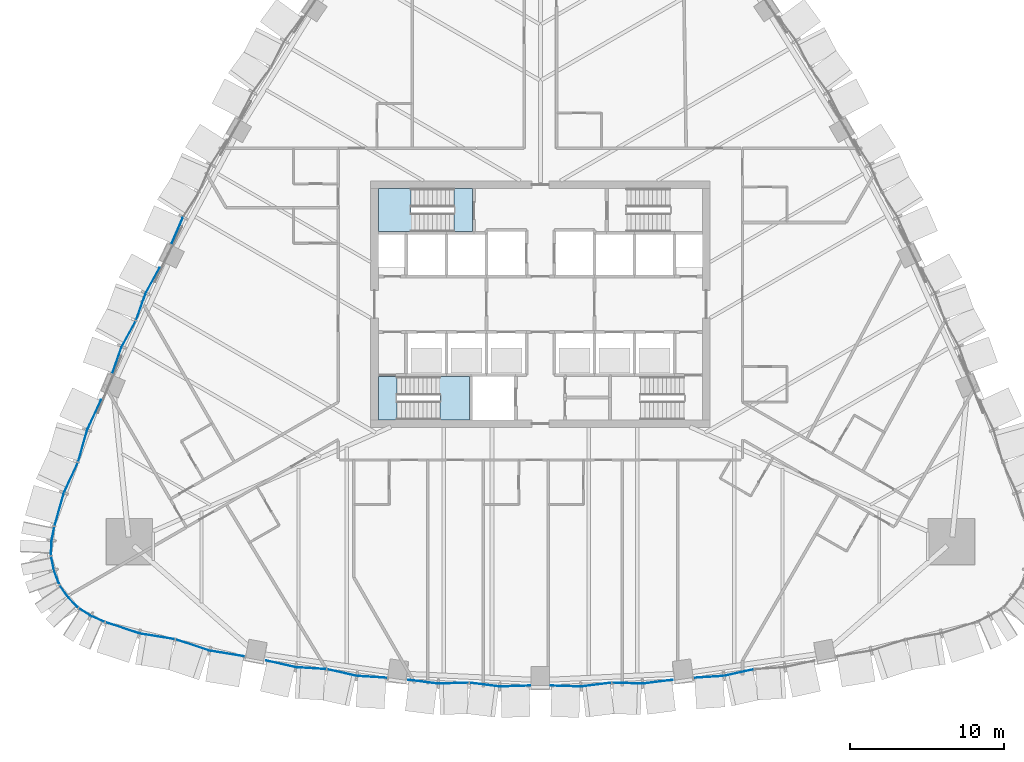
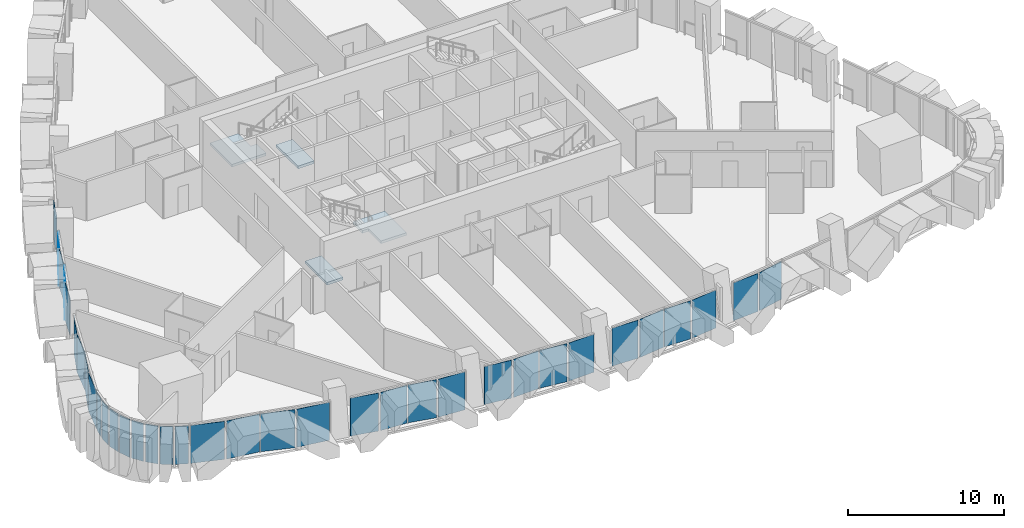
# One storey, part 9 of 22: 35 plates, 4 slabs, 14 elements without a shape of their own.
"""IFC4 building model written with IfcOpenShell, lengths in metres."""

from ifc_helpers import new_model, si_unit, direction, frame, origin, place, context, subcontext, project, spatial, polyline, outline, extrude, material, layer, layer_set, type_object, element, aggregate, save


model = new_model("IFC4")

# Units and contexts
model_context = context("Model", 3, precision=1e-05, world=origin(), true_north=direction((0.0, 1.0)))
body_context = subcontext(model_context, "Body", "Model", "MODEL_VIEW")
ifc_project = project(units=[si_unit("LENGTHUNIT", "METRE"), si_unit("AREAUNIT", "SQUARE_METRE"), si_unit("VOLUMEUNIT", "CUBIC_METRE"), si_unit("PLANEANGLEUNIT", "RADIAN"), si_unit("MASSUNIT", "GRAM", prefix="KILO")], contexts=[model_context])

# Site, building, storey
site_placement = place(None, origin())
site = spatial("IfcSite", under=ifc_project, at=site_placement, CompositionType="ELEMENT")
building_placement = place(site_placement, origin())
building = spatial("IfcBuilding", under=site, at=building_placement, Name="Sierra Prisma Convention Tower", CompositionType="ELEMENT")
storey_placement = place(building_placement, frame((0.0, 0.0, 66.5)))
storey = spatial("IfcBuildingStorey", under=building, at=storey_placement, Name="L12", CompositionType="ELEMENT", Elevation=66.5)

# Curtain wall, plates
ifc_material_1 = material(Name="Aluminium and glass curtain wall", Category="aluminium")
ifc_layer_1 = layer(ifc_material_1, 0.179931640625)
ifc_layer_set_1 = layer_set([ifc_layer_1], Name="CW-2 Faceted crystal curtain wall")
curtain_wall_type = type_object("IfcCurtainWallType", Name="CW-2 Faceted crystal curtain wall", PredefinedType="NOTDEFINED", material=ifc_layer_set_1)
curtain_wall_1_placement = place(storey_placement, origin())
curtain_wall_1 = element("IfcCurtainWall", 1, at=curtain_wall_1_placement, inside=storey, type_object=curtain_wall_type, Name="CW-2 S1 L12", PredefinedType="NOTDEFINED")
ifc_material_2 = material(Name="Tinted glass bronze-grey IGU", Category="glass")
ifc_layer_2 = layer(ifc_material_2, 0.028076171875)
ifc_layer_set_2 = layer_set([ifc_layer_2], Name="CW-2 crystal pane")
plate_type = type_object("IfcPlateType", Name="CW-2 crystal pane", PredefinedType="CURTAIN_PANEL", material=ifc_layer_set_2)
plate_1_placement = place(storey_placement, frame((-28.194091796875, -20.6396484375, 0.0), z_axis=(-0.313522391506, -0.949580807527, 0.0), x_axis=(0.949580807527, -0.313522391506, 0.0)))
plate_1 = element("IfcPlate", 2, at=plate_1_placement, type_object=plate_type, Name="CW-2 pane S1.1.1", PredefinedType="CURTAIN_PANEL", context=body_context, shape_type="SweptSolid", body=[
    extrude(outline(polyline([(0.0, 0.0), (2.2481137024651527, 0.0), (2.2481137024651527, 2.97998046875), (0.0, 2.97998046875), (0.0, 0.0)])), origin(), (0.0, 0.0, -1.0), 0.028076171875),
])
plate_2_placement = place(storey_placement, frame((-23.71484375, -21.737548828125, 0.0), z_axis=(-0.161175077804, -0.986925830189, 0.0), x_axis=(-0.986925830189, 0.161175077804, 0.0)))
plate_2 = element("IfcPlate", 3, at=plate_2_placement, type_object=plate_type, Name="CW-2 pane S1.1.2", PredefinedType="CURTAIN_PANEL", context=body_context, shape_type="SweptSolid", body=[
    extrude(outline(polyline([(0.0, 0.0), (2.247895223240105, 0.0), (2.247895223240105, -2.97998046875), (0.0, -2.97998046875), (0.0, 0.0)])), origin(), (0.0, 0.0, -1.0), 0.028076171875),
])
plate_3_placement = place(storey_placement, frame((-23.646728515625, -21.754150390625, 0.0), z_axis=(-0.313522391506, -0.949580807527, 0.0), x_axis=(0.949580807527, -0.313522391506, 0.0)))
plate_3 = element("IfcPlate", 4, at=plate_3_placement, type_object=plate_type, Name="CW-2 pane S1.2.1", PredefinedType="CURTAIN_PANEL", context=body_context, shape_type="SweptSolid", body=[
    extrude(outline(polyline([(0.0, 0.0), (2.2481137024651527, 0.0), (2.2481137024651527, 2.97998046875), (0.0, 2.97998046875), (0.0, 0.0)])), origin(), (0.0, 0.0, -1.0), 0.028076171875),
])
plate_4_placement = place(storey_placement, frame((-19.16748046875, -22.851806640625, 0.0), z_axis=(-0.161052024286, -0.986945918211, 0.0), x_axis=(-0.986945918211, 0.161052024286, 0.0)))
plate_4 = element("IfcPlate", 5, at=plate_4_placement, type_object=plate_type, Name="CW-2 pane S1.2.2", PredefinedType="CURTAIN_PANEL", context=body_context, shape_type="SweptSolid", body=[
    extrude(outline(polyline([(0.0, 0.0), (2.2480968400190027, 0.0), (2.2480968400190027, -2.97998046875), (0.0, -2.97998046875), (0.0, 0.0)])), origin(), (0.0, 0.0, -1.0), 0.028076171875),
])
aggregate(curtain_wall_1, [plate_1, plate_2, plate_3, plate_4])

curtain_wall_2_placement = place(storey_placement, origin())
curtain_wall_2 = element("IfcCurtainWall", 6, at=curtain_wall_2_placement, inside=storey, type_object=curtain_wall_type, Name="CW-2 S2 L12", PredefinedType="NOTDEFINED")
plate_5_placement = place(storey_placement, frame((-17.781494140625, -23.12353515625, 0.0), z_axis=(-0.218368523733, -0.975866378068, 0.0), x_axis=(0.975866378068, -0.218368523733, 0.0)))
plate_5 = element("IfcPlate", 7, at=plate_5_placement, type_object=plate_type, Name="CW-2 pane S2.1.1", PredefinedType="CURTAIN_PANEL", context=body_context, shape_type="SweptSolid", body=[
    extrude(outline(polyline([(0.0, 0.0), (1.9051080159729965, 0.0), (1.9051080159729965, 2.9799804687500004), (0.0, 2.9799804687500004), (0.0, 0.0)])), origin(), (0.0, 0.0, -1.0), 0.028076171875),
])
plate_6_placement = place(storey_placement, frame((-13.89306640625, -23.677734375, 0.0), z_axis=(-0.062928836032, -0.998018016669, 0.0), x_axis=(-0.998018016669, 0.062928836032, 0.0)))
plate_6 = element("IfcPlate", 8, at=plate_6_placement, type_object=plate_type, Name="CW-2 pane S2.1.2", PredefinedType="CURTAIN_PANEL", context=body_context, shape_type="SweptSolid", body=[
    extrude(outline(polyline([(0.0, 0.0), (1.904898523997113, 0.0), (1.904898523997113, -2.9799804687499996), (0.0, -2.9799804687499996), (0.0, 0.0)])), origin(), (0.0, 0.0, -1.0), 0.028076171875),
])
plate_7_placement = place(storey_placement, frame((-13.82373046875, -23.6875, 0.0), z_axis=(-0.218368523733, -0.975866378068, 0.0), x_axis=(0.975866378068, -0.218368523733, 0.0)))
plate_7 = element("IfcPlate", 9, at=plate_7_placement, type_object=plate_type, Name="CW-2 pane S2.2.1", PredefinedType="CURTAIN_PANEL", context=body_context, shape_type="SweptSolid", body=[
    extrude(outline(polyline([(0.0, 0.0), (1.9051080159729965, 0.0), (1.9051080159729965, 2.9799804687500004), (0.0, 2.9799804687500004), (0.0, 0.0)])), origin(), (0.0, 0.0, -1.0), 0.028076171875),
])
plate_8_placement = place(storey_placement, frame((-9.935302734375, -24.24169921875, 0.0), z_axis=(-0.062928836032, -0.998018016669, 0.0), x_axis=(-0.998018016669, 0.062928836032, 0.0)))
plate_8 = element("IfcPlate", 10, at=plate_8_placement, type_object=plate_type, Name="CW-2 pane S2.2.2", PredefinedType="CURTAIN_PANEL", context=body_context, shape_type="SweptSolid", body=[
    extrude(outline(polyline([(0.0, 0.0), (1.904898523997113, 0.0), (1.904898523997113, -2.9799804687499996), (0.0, -2.9799804687499996), (0.0, 0.0)])), origin(), (0.0, 0.0, -1.0), 0.028076171875),
])
aggregate(curtain_wall_2, [plate_5, plate_6, plate_7, plate_8])

curtain_wall_3_placement = place(storey_placement, origin())
curtain_wall_3 = element("IfcCurtainWall", 11, at=curtain_wall_3_placement, inside=storey, type_object=curtain_wall_type, Name="CW-2 S3 L12", PredefinedType="NOTDEFINED")
plate_9_placement = place(storey_placement, frame((-8.5732421875, -24.3720703125, 0.0), z_axis=(-0.125298681173, -0.992119065685, 0.0), x_axis=(0.992119065685, -0.125298681173, 0.0)))
plate_9 = element("IfcPlate", 12, at=plate_9_placement, type_object=plate_type, Name="CW-2 pane S3.1.1", PredefinedType="CURTAIN_PANEL", context=body_context, shape_type="SweptSolid", body=[
    extrude(outline(polyline([(0.0, 0.0), (1.9017059698342236, 0.0), (1.9017059698342236, 2.97998046875), (0.0, 2.97998046875), (0.0, 0.0)])), origin(), (0.0, 0.0, -1.0), 0.028076171875),
])
plate_10_placement = place(storey_placement, frame((-4.65625, -24.556640625, 0.0), z_axis=(0.031451168246, -0.999505289639, 0.0), x_axis=(-0.999505289639, -0.031451168246, 0.0)))
plate_10 = element("IfcPlate", 13, at=plate_10_placement, type_object=plate_type, Name="CW-2 pane S3.1.2", PredefinedType="CURTAIN_PANEL", context=body_context, shape_type="SweptSolid", body=[
    extrude(outline(polyline([(0.0, 0.0), (1.9018197561884878, 0.0), (1.9018197561884878, -2.97998046875), (0.0, -2.97998046875), (0.0, 0.0)])), origin(), (0.0, 0.0, -1.0), 0.028076171875),
])
plate_11_placement = place(storey_placement, frame((-4.586181640625, -24.559814453125, 0.0), z_axis=(-0.125425042388, -0.992103098847, 0.0), x_axis=(0.992103098847, -0.125425042388, 0.0)))
plate_11 = element("IfcPlate", 14, at=plate_11_placement, type_object=plate_type, Name="CW-2 pane S3.2.1", PredefinedType="CURTAIN_PANEL", context=body_context, shape_type="SweptSolid", body=[
    extrude(outline(polyline([(0.0, 0.0), (1.901736575757634, 0.0), (1.901736575757634, 2.97998046875), (0.0, 2.97998046875), (0.0, 0.0)])), origin(), (0.0, 0.0, -1.0), 0.028076171875),
])
plate_12_placement = place(storey_placement, frame((-0.669189453125, -24.74462890625, 0.0), z_axis=(0.031451168246, -0.999505289639, 0.0), x_axis=(-0.999505289639, -0.031451168246, 0.0)))
plate_12 = element("IfcPlate", 15, at=plate_12_placement, type_object=plate_type, Name="CW-2 pane S3.2.2", PredefinedType="CURTAIN_PANEL", context=body_context, shape_type="SweptSolid", body=[
    extrude(outline(polyline([(0.0, 0.0), (1.9018197561884878, 0.0), (1.9018197561884878, -2.97998046875), (0.0, -2.97998046875), (0.0, 0.0)])), origin(), (0.0, 0.0, -1.0), 0.028076171875),
])
aggregate(curtain_wall_3, [plate_9, plate_10, plate_11, plate_12])

curtain_wall_4_placement = place(storey_placement, origin())
curtain_wall_4 = element("IfcCurtainWall", 16, at=curtain_wall_4_placement, inside=storey, type_object=curtain_wall_type, Name="CW-2 S4 L12", PredefinedType="NOTDEFINED")
plate_13_placement = place(storey_placement, frame((0.669189453125, -24.74462890625, 0.0), z_axis=(-0.031451168246, -0.999505289639, 0.0), x_axis=(0.999505289639, -0.031451168246, 0.0)))
plate_13 = element("IfcPlate", 17, at=plate_13_placement, type_object=plate_type, Name="CW-2 pane S4.1.1", PredefinedType="CURTAIN_PANEL", context=body_context, shape_type="SweptSolid", body=[
    extrude(outline(polyline([(0.0, 0.0), (1.9018197561884878, 0.0), (1.9018197561884878, 2.97998046875), (0.0, 2.97998046875), (0.0, 0.0)])), origin(), (0.0, 0.0, -1.0), 0.028076171875),
])
plate_14_placement = place(storey_placement, frame((4.586181640625, -24.559814453125, 0.0), z_axis=(0.125425042388, -0.992103098847, 0.0), x_axis=(-0.992103098847, -0.125425042388, 0.0)))
plate_14 = element("IfcPlate", 18, at=plate_14_placement, type_object=plate_type, Name="CW-2 pane S4.1.2", PredefinedType="CURTAIN_PANEL", context=body_context, shape_type="SweptSolid", body=[
    extrude(outline(polyline([(0.0, 0.0), (1.901736575757634, 0.0), (1.901736575757634, -2.97998046875), (0.0, -2.97998046875), (0.0, 0.0)])), origin(), (0.0, 0.0, -1.0), 0.028076171875),
])
plate_15_placement = place(storey_placement, frame((4.65625, -24.556640625, 0.0), z_axis=(-0.031451168246, -0.999505289639, 0.0), x_axis=(0.999505289639, -0.031451168246, 0.0)))
plate_15 = element("IfcPlate", 19, at=plate_15_placement, type_object=plate_type, Name="CW-2 pane S4.2.1", PredefinedType="CURTAIN_PANEL", context=body_context, shape_type="SweptSolid", body=[
    extrude(outline(polyline([(0.0, 0.0), (1.9018197561884878, 0.0), (1.9018197561884878, 2.97998046875), (0.0, 2.97998046875), (0.0, 0.0)])), origin(), (0.0, 0.0, -1.0), 0.028076171875),
])
plate_16_placement = place(storey_placement, frame((8.5732421875, -24.3720703125, 0.0), z_axis=(0.125298681173, -0.992119065685, 0.0), x_axis=(-0.992119065685, -0.125298681173, 0.0)))
plate_16 = element("IfcPlate", 20, at=plate_16_placement, type_object=plate_type, Name="CW-2 pane S4.2.2", PredefinedType="CURTAIN_PANEL", context=body_context, shape_type="SweptSolid", body=[
    extrude(outline(polyline([(0.0, 0.0), (1.9017059698342236, 0.0), (1.9017059698342236, -2.97998046875), (0.0, -2.97998046875), (0.0, 0.0)])), origin(), (0.0, 0.0, -1.0), 0.028076171875),
])
aggregate(curtain_wall_4, [plate_13, plate_14, plate_15, plate_16])

curtain_wall_5_placement = place(storey_placement, origin())
curtain_wall_5 = element("IfcCurtainWall", 21, at=curtain_wall_5_placement, inside=storey, type_object=curtain_wall_type, Name="CW-2 S5 L12", PredefinedType="NOTDEFINED")
plate_17_placement = place(storey_placement, frame((9.935302734375, -24.24169921875, 0.0), z_axis=(0.062928836032, -0.998018016669, 0.0), x_axis=(0.998018016669, 0.062928836032, 0.0)))
plate_17 = element("IfcPlate", 22, at=plate_17_placement, type_object=plate_type, Name="CW-2 pane S5.1.1", PredefinedType="CURTAIN_PANEL", context=body_context, shape_type="SweptSolid", body=[
    extrude(outline(polyline([(0.0, 0.0), (1.904898523997113, 0.0), (1.904898523997113, 2.9799804687499996), (0.0, 2.9799804687499996), (0.0, 0.0)])), origin(), (0.0, 0.0, -1.0), 0.028076171875),
])
plate_18_placement = place(storey_placement, frame((13.82373046875, -23.6875, 0.0), z_axis=(0.218368523733, -0.975866378068, 0.0), x_axis=(-0.975866378068, -0.218368523733, 0.0)))
plate_18 = element("IfcPlate", 23, at=plate_18_placement, type_object=plate_type, Name="CW-2 pane S5.1.2", PredefinedType="CURTAIN_PANEL", context=body_context, shape_type="SweptSolid", body=[
    extrude(outline(polyline([(0.0, 0.0), (1.9051080159729965, 0.0), (1.9051080159729965, -2.9799804687500004), (0.0, -2.9799804687500004), (0.0, 0.0)])), origin(), (0.0, 0.0, -1.0), 0.028076171875),
])
aggregate(curtain_wall_5, [plate_17, plate_18])

# Curtain wall, plate
curtain_wall_6_placement = place(storey_placement, origin())
curtain_wall_6 = element("IfcCurtainWall", 24, at=curtain_wall_6_placement, inside=storey, type_object=curtain_wall_type, Name="CW-2 NW4 L12", PredefinedType="NOTDEFINED")
plate_19_placement = place(storey_placement, frame((-23.935546875, 3.905517578125, 0.0), z_axis=(-0.91726886815, 0.398268531926, 0.0), x_axis=(0.398268531926, 0.91726886815, 0.0)))
plate_19 = element("IfcPlate", 25, at=plate_19_placement, type_object=plate_type, Name="CW-2 pane NW4.2.2", PredefinedType="CURTAIN_PANEL", context=body_context, shape_type="SweptSolid", body=[
    extrude(outline(polyline([(0.0, 0.0), (1.834111137193718, 0.0), (1.834111137193718, -2.97998046875), (0.0, -2.97998046875), (0.0, 0.0)])), origin(), (0.0, 0.0, -1.0), 0.028076171875),
])
aggregate(curtain_wall_6, [plate_19])

# Curtain wall, plates
curtain_wall_7_placement = place(storey_placement, origin())
curtain_wall_7 = element("IfcCurtainWall", 26, at=curtain_wall_7_placement, inside=storey, type_object=curtain_wall_type, Name="CW-2 NW5 L12", PredefinedType="NOTDEFINED")
plate_20_placement = place(storey_placement, frame((-24.703857421875, 2.36376953125, 0.0), z_axis=(-0.877527866475, 0.479525644319, 0.0), x_axis=(-0.479525644319, -0.877527866475, 0.0)))
plate_20 = element("IfcPlate", 27, at=plate_20_placement, type_object=plate_type, Name="CW-2 pane NW5.1.1", PredefinedType="CURTAIN_PANEL", context=body_context, shape_type="SweptSolid", body=[
    extrude(outline(polyline([(0.0, 0.0), (1.8028273635968317, 0.0), (1.8028273635968317, 2.97998046875), (0.0, 2.97998046875), (0.0, 0.0)])), origin(), (0.0, 0.0, -1.0), 0.028076171875),
])
plate_21_placement = place(storey_placement, frame((-26.2275390625, -1.034423828125, 0.0), z_axis=(-0.941766420952, 0.336267762902, 0.0), x_axis=(0.336267762902, 0.941766420952, 0.0)))
plate_21 = element("IfcPlate", 28, at=plate_21_placement, type_object=plate_type, Name="CW-2 pane NW5.1.2", PredefinedType="CURTAIN_PANEL", context=body_context, shape_type="SweptSolid", body=[
    extrude(outline(polyline([(0.0, 0.0), (1.8027335318814472, 0.0), (1.8027335318814472, -2.97998046875), (0.0, -2.97998046875), (0.0, 0.0)])), origin(), (0.0, 0.0, -1.0), 0.028076171875),
])
plate_22_placement = place(storey_placement, frame((-26.256103515625, -1.09814453125, 0.0), z_axis=(-0.877527866475, 0.479525644319, 0.0), x_axis=(-0.479525644319, -0.877527866475, 0.0)))
plate_22 = element("IfcPlate", 29, at=plate_22_placement, type_object=plate_type, Name="CW-2 pane NW5.2.1", PredefinedType="CURTAIN_PANEL", context=body_context, shape_type="SweptSolid", body=[
    extrude(outline(polyline([(0.0, 0.0), (1.8028273635968317, 0.0), (1.8028273635968317, 2.97998046875), (0.0, 2.97998046875), (0.0, 0.0)])), origin(), (0.0, 0.0, -1.0), 0.028076171875),
])
plate_23_placement = place(storey_placement, frame((-27.77978515625, -4.496337890625, 0.0), z_axis=(-0.941766420952, 0.336267762902, 0.0), x_axis=(0.336267762902, 0.941766420952, 0.0)))
plate_23 = element("IfcPlate", 30, at=plate_23_placement, type_object=plate_type, Name="CW-2 pane NW5.2.2", PredefinedType="CURTAIN_PANEL", context=body_context, shape_type="SweptSolid", body=[
    extrude(outline(polyline([(0.0, 0.0), (1.8027335318814472, 0.0), (1.8027335318814472, -2.97998046875), (0.0, -2.97998046875), (0.0, 0.0)])), origin(), (0.0, 0.0, -1.0), 0.028076171875),
])
aggregate(curtain_wall_7, [plate_20, plate_21, plate_22, plate_23])

curtain_wall_8_placement = place(storey_placement, origin())
curtain_wall_8 = element("IfcCurtainWall", 31, at=curtain_wall_8_placement, inside=storey, type_object=curtain_wall_type, Name="CW-2 NW6 L12", PredefinedType="NOTDEFINED")
plate_24_placement = place(storey_placement, frame((-28.49462890625, -6.199951171875, 0.0), z_axis=(-0.907557179198, 0.419928525449, 0.0), x_axis=(-0.419928525449, -0.907557179198, 0.0)))
plate_24 = element("IfcPlate", 32, at=plate_24_placement, type_object=plate_type, Name="CW-2 pane NW6.1.1", PredefinedType="CURTAIN_PANEL", context=body_context, shape_type="SweptSolid", body=[
    extrude(outline(polyline([(0.0, 0.0), (2.0807809994336415, 0.0), (2.0807809994336415, 2.97998046875), (0.0, 2.97998046875), (0.0, 0.0)])), origin(), (0.0, 0.0, -1.0), 0.028076171875),
])
plate_25_placement = place(storey_placement, frame((-29.98095703125, -10.2119140625, 0.0), z_axis=(-0.962075422412, 0.272783580135, 0.0), x_axis=(0.272783580135, 0.962075422412, 0.0)))
plate_25 = element("IfcPlate", 33, at=plate_25_placement, type_object=plate_type, Name="CW-2 pane NW6.1.2", PredefinedType="CURTAIN_PANEL", context=body_context, shape_type="SweptSolid", body=[
    extrude(outline(polyline([(0.0, 0.0), (2.0808692108374416, 0.0), (2.0808692108374416, -2.97998046875), (0.0, -2.97998046875), (0.0, 0.0)])), origin(), (0.0, 0.0, -1.0), 0.028076171875),
])
plate_26_placement = place(storey_placement, frame((-30.005126953125, -10.277587890625, 0.0), z_axis=(-0.907557179198, 0.419928525449, 0.0), x_axis=(-0.419928525449, -0.907557179198, 0.0)))
plate_26 = element("IfcPlate", 34, at=plate_26_placement, type_object=plate_type, Name="CW-2 pane NW6.2.1", PredefinedType="CURTAIN_PANEL", context=body_context, shape_type="SweptSolid", body=[
    extrude(outline(polyline([(0.0, 0.0), (2.0807809994336415, 0.0), (2.0807809994336415, 2.97998046875), (0.0, 2.97998046875), (0.0, 0.0)])), origin(), (0.0, 0.0, -1.0), 0.028076171875),
])
plate_27_placement = place(storey_placement, frame((-31.4912109375, -14.289306640625, 0.0), z_axis=(-0.962097483026, 0.272705762965, 0.0), x_axis=(0.272705762965, 0.962097483026, 0.0)))
plate_27 = element("IfcPlate", 35, at=plate_27_placement, type_object=plate_type, Name="CW-2 pane NW6.2.2", PredefinedType="CURTAIN_PANEL", context=body_context, shape_type="SweptSolid", body=[
    extrude(outline(polyline([(0.0, 0.0), (2.0805677383945, 0.0), (2.0805677383945, -2.97998046875), (0.0, -2.97998046875), (0.0, 0.0)])), origin(), (0.0, 0.0, -1.0), 0.028076171875),
])
aggregate(curtain_wall_8, [plate_24, plate_25, plate_26, plate_27])

curtain_wall_9_placement = place(storey_placement, origin())
curtain_wall_9 = element("IfcCurtainWall", 36, at=curtain_wall_9_placement, inside=storey, type_object=curtain_wall_type, Name="CW-2 SW1 L12", PredefinedType="NOTDEFINED")
plate_28_placement = place(storey_placement, frame((-31.524169921875, -14.424560546875, 0.0), z_axis=(-0.980134008241, 0.198336395777, 0.0), x_axis=(-0.198336395777, -0.980134008241, 0.0)))
plate_28 = element("IfcPlate", 37, at=plate_28_placement, type_object=plate_type, Name="CW-2 pane SW1.1.1", PredefinedType="CURTAIN_PANEL", context=body_context, shape_type="SweptSolid", body=[
    extrude(outline(polyline([(0.0, 0.0), (0.8456572416690276, 0.0), (0.8456572416690276, 2.97998046875), (0.0, 2.97998046875), (0.0, 0.0)])), origin(), (0.0, 0.0, -1.0), 0.028076171875),
])
plate_29_placement = place(storey_placement, frame((-31.743896484375, -16.22705078125, 0.0), z_axis=(-0.999086948825, 0.042723163371, 0.0), x_axis=(0.042723163371, 0.999086948825, 0.0)))
plate_29 = element("IfcPlate", 38, at=plate_29_placement, type_object=plate_type, Name="CW-2 pane SW1.1.2", PredefinedType="CURTAIN_PANEL", context=body_context, shape_type="SweptSolid", body=[
    extrude(outline(polyline([(0.0, 0.0), (0.8457429096827931, 0.0), (0.8457429096827931, -2.97998046875), (0.0, -2.97998046875), (0.0, 0.0)])), origin(), (0.0, 0.0, -1.0), 0.028076171875),
])
aggregate(curtain_wall_9, [plate_28, plate_29])

curtain_wall_10_placement = place(storey_placement, origin())
curtain_wall_10 = element("IfcCurtainWall", 39, at=curtain_wall_10_placement, inside=storey, type_object=curtain_wall_type, Name="CW-2 SW2 L12", PredefinedType="NOTDEFINED")
plate_30_placement = place(storey_placement, frame((-31.733154296875, -16.36376953125, 0.0), z_axis=(-0.980021620084, -0.198890985637, 0.0), x_axis=(0.198890985637, -0.980021620084, 0.0)))
plate_30 = element("IfcPlate", 40, at=plate_30_placement, type_object=plate_type, Name="CW-2 pane SW2.1.1", PredefinedType="CURTAIN_PANEL", context=body_context, shape_type="SweptSolid", body=[
    extrude(outline(polyline([(0.0, 0.0), (0.8457542210179563, 0.0), (0.8457542210179563, 2.97998046875), (0.0, 2.97998046875), (0.0, 0.0)])), origin(), (0.0, 0.0, -1.0), 0.028076171875),
])
plate_31_placement = place(storey_placement, frame((-31.2333984375, -18.109619140625, 0.0), z_axis=(-0.936791055607, -0.349889294113, 0.0), x_axis=(-0.349889294113, 0.936791055607, 0.0)))
plate_31 = element("IfcPlate", 41, at=plate_31_placement, type_object=plate_type, Name="CW-2 pane SW2.1.2", PredefinedType="CURTAIN_PANEL", context=body_context, shape_type="SweptSolid", body=[
    extrude(outline(polyline([(0.0, 0.0), (0.8456916015403748, 0.0), (0.8456916015403748, -2.97998046875), (0.0, -2.97998046875), (0.0, 0.0)])), origin(), (0.0, 0.0, -1.0), 0.028076171875),
])
aggregate(curtain_wall_10, [plate_30, plate_31])

curtain_wall_11_placement = place(storey_placement, origin())
curtain_wall_11 = element("IfcCurtainWall", 42, at=curtain_wall_11_placement, inside=storey, type_object=curtain_wall_type, Name="CW-2 SW3 L12", PredefinedType="NOTDEFINED")
plate_32_placement = place(storey_placement, frame((-31.170166015625, -18.2314453125, 0.0), z_axis=(-0.825193970875, -0.564849458203, 0.0), x_axis=(0.564849458203, -0.825193970875, 0.0)))
plate_32 = element("IfcPlate", 43, at=plate_32_placement, type_object=plate_type, Name="CW-2 pane SW3.1.1", PredefinedType="CURTAIN_PANEL", context=body_context, shape_type="SweptSolid", body=[
    extrude(outline(polyline([(0.0, 0.0), (0.8458593633871412, 0.0), (0.8458593633871412, 2.97998046875), (0.0, 2.97998046875), (0.0, 0.0)])), origin(), (0.0, 0.0, -1.0), 0.028076171875),
])
plate_33_placement = place(storey_placement, frame((-30.030029296875, -19.644775390625, 0.0), z_axis=(-0.726604729422, -0.68705572349, 0.0), x_axis=(-0.68705572349, 0.726604729422, 0.0)))
plate_33 = element("IfcPlate", 44, at=plate_33_placement, type_object=plate_type, Name="CW-2 pane SW3.1.2", PredefinedType="CURTAIN_PANEL", context=body_context, shape_type="SweptSolid", body=[
    extrude(outline(polyline([(0.0, 0.0), (0.8457169740877633, 0.0), (0.8457169740877633, -2.97998046875), (0.0, -2.97998046875), (0.0, 0.0)])), origin(), (0.0, 0.0, -1.0), 0.028076171875),
])
aggregate(curtain_wall_11, [plate_32, plate_33])

curtain_wall_12_placement = place(storey_placement, origin())
curtain_wall_12 = element("IfcCurtainWall", 45, at=curtain_wall_12_placement, inside=storey, type_object=curtain_wall_type, Name="CW-2 SW4 L12", PredefinedType="NOTDEFINED")
plate_34_placement = place(storey_placement, frame((-29.92431640625, -19.732177734375, 0.0), z_axis=(-0.54002799642, -0.841647053748, 0.0), x_axis=(0.841647053748, -0.54002799642, 0.0)))
plate_34 = element("IfcPlate", 46, at=plate_34_placement, type_object=plate_type, Name="CW-2 pane SW4.1.1", PredefinedType="CURTAIN_PANEL", context=body_context, shape_type="SweptSolid", body=[
    extrude(outline(polyline([(0.0, 0.0), (0.8458582006911219, 0.0), (0.8458582006911219, 2.97998046875), (0.0, 2.97998046875), (0.0, 0.0)])), origin(), (0.0, 0.0, -1.0), 0.028076171875),
])
plate_35_placement = place(storey_placement, frame((-28.32373046875, -20.58984375, 0.0), z_axis=(-0.401500106002, -0.915858976524, 0.0), x_axis=(-0.915858976524, 0.401500106002, 0.0)))
plate_35 = element("IfcPlate", 47, at=plate_35_placement, type_object=plate_type, Name="CW-2 pane SW4.1.2", PredefinedType="CURTAIN_PANEL", context=body_context, shape_type="SweptSolid", body=[
    extrude(outline(polyline([(0.0, 0.0), (0.8458269482326195, 0.0), (0.8458269482326195, -2.97998046875), (0.0, -2.97998046875), (0.0, 0.0)])), origin(), (0.0, 0.0, -1.0), 0.028076171875),
])
aggregate(curtain_wall_12, [plate_34, plate_35])

# Stair, slab
ifc_material_3 = material(Name="Concrete C30/37", Category="concrete")
stair_type = type_object("IfcStairType", Name="Stair dog-leg 1200 RC", PredefinedType="HALF_TURN_STAIR", material=ifc_material_3)
stair_1_placement = place(storey_placement, origin())
stair_1 = element("IfcStair", 48, at=stair_1_placement, inside=storey, type_object=stair_type, Name="L12 S1", PredefinedType="HALF_TURN_STAIR")
ifc_material_4 = material(Name="Concrete C35/45", Category="concrete")
ifc_layer_3 = layer(ifc_material_4, 0.199951171875)
ifc_layer_set_3 = layer_set([ifc_layer_3], Name="Stair landing slab")
slab_type = type_object("IfcSlabType", Name="Stair landing slab", PredefinedType="LANDING", material=ifc_layer_set_3)
slab_1_placement = place(storey_placement, frame((0.0, 0.0, 1.64990234375)))
slab_1 = element("IfcSlab", 49, at=slab_1_placement, type_object=slab_type, Name="S1 landing 1", PredefinedType="LANDING", context=body_context, shape_type="SweptSolid", body=[
    extrude(outline(polyline([(-4.60009765625, -4.699951171875), (-4.60009765625, -7.5), (-6.501953125, -7.5), (-6.501953125, -5.89990234375), (-6.949951171875, -5.89990234375), (-6.949951171875, -4.699951171875), (-4.60009765625, -4.699951171875)])), origin(), (0.0, 0.0, 1.0), 0.2001953125),
])
aggregate(stair_1, [slab_1])

# Slab
slab_2_placement = place(storey_placement, frame((0.0, 0.0, -0.199951171875)))
element("IfcSlab", 50, at=slab_2_placement, inside=storey, type_object=slab_type, Name="S1 floor landing L12", PredefinedType="LANDING", context=body_context, shape_type="SweptSolid", body=[
    extrude(outline(polyline([(-10.5, -7.5), (-9.298095703125, -7.5), (-9.298095703125, -4.699951171875), (-10.5, -4.699951171875), (-10.5, -7.5)])), origin(), (0.0, 0.0, 1.0), 0.199951171875),
])

# Stair, slab
stair_2_placement = place(storey_placement, origin())
stair_2 = element("IfcStair", 51, at=stair_2_placement, inside=storey, type_object=stair_type, Name="L12 S3", PredefinedType="HALF_TURN_STAIR")
slab_3_placement = place(storey_placement, frame((0.0, 0.0, 1.64990234375)))
slab_3 = element("IfcSlab", 52, at=slab_3_placement, type_object=slab_type, Name="S3 landing 1", PredefinedType="LANDING", context=body_context, shape_type="SweptSolid", body=[
    extrude(outline(polyline([(-7.949951171875, 5.89990234375), (-7.949951171875, 4.699951171875), (-10.5, 4.699951171875), (-10.5, 7.5), (-8.39794921875, 7.5), (-8.39794921875, 5.89990234375), (-7.949951171875, 5.89990234375)])), origin(), (0.0, 0.0, 1.0), 0.2001953125),
])
aggregate(stair_2, [slab_3])

# Slab
slab_4_placement = place(storey_placement, frame((0.0, 0.0, -0.199951171875)))
element("IfcSlab", 53, at=slab_4_placement, inside=storey, type_object=slab_type, Name="S3 floor landing L12", PredefinedType="LANDING", context=body_context, shape_type="SweptSolid", body=[
    extrude(outline(polyline([(-4.39990234375, 7.5), (-5.60205078125, 7.5), (-5.60205078125, 4.699951171875), (-4.39990234375, 4.699951171875), (-4.39990234375, 7.5)])), origin(), (0.0, 0.0, 1.0), 0.199951171875),
])

save(model, "model.ifc")
